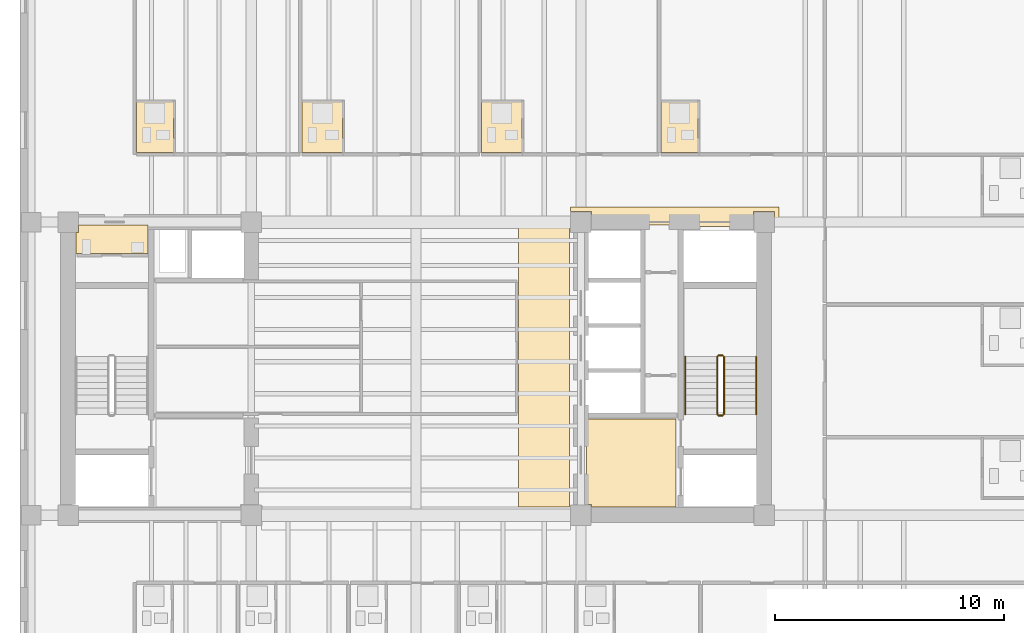
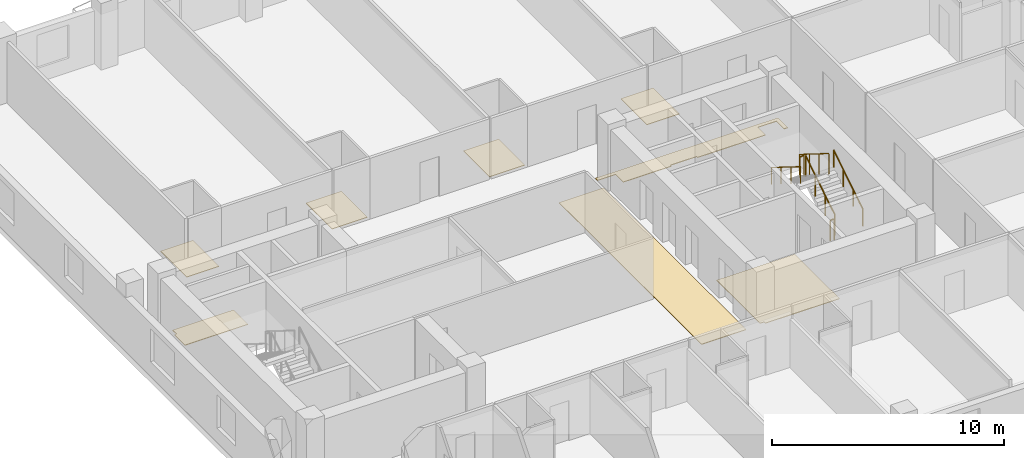
# One storey, part 9 of 11: 8 coverings, 6 railings.
"""IFC4 building model written with IfcOpenShell, lengths in metres."""

import ifcopenshell
import ifcopenshell.guid

model = None  # the IFC model being written
_history = None  # IfcOwnerHistory: only IFC2X3 demands one
_inside = {}  # id of a spatial element -> (the spatial element, [elements in it])
_under = {}  # id of a project, library or spatial element -> (it, [spatial elements below it])
_declared = {}  # id of a project -> (the project, [libraries it declares])
_typed = {}  # id of a type object -> (the type object, [elements of that type])
_made_of = {}  # id of a material, layer set ... -> (it, [elements and type objects made of it])


def new_model(schema):
    """Start an empty IFC model of exactly this schema.

    Asked for "IFC4X3", IfcOpenShell would pick the latest addendum, in which some entities
    have other attributes; the version numbers below select the first issue.
    IFC2X3 requires an IfcOwnerHistory on every rooted entity: one is made here for all.
    """
    global model, _history
    if schema == "IFC4X3":
        model = ifcopenshell.file(schema_version=(4, 3, 0, 0))
    else:
        model = ifcopenshell.file(schema=schema)
    _inside.clear()
    _under.clear()
    _declared.clear()
    _typed.clear()
    _made_of.clear()
    _history = None
    if model.schema == "IFC2X3":
        org = make("IfcOrganization", Name="unknown")
        user = make(
            "IfcPersonAndOrganization",
            ThePerson=make("IfcPerson", FamilyName="unknown"),
            TheOrganization=org,
        )
        app = make(
            "IfcApplication",
            ApplicationDeveloper=org,
            Version="unknown",
            ApplicationFullName="unknown",
            ApplicationIdentifier="unknown",
        )
        _history = make(
            "IfcOwnerHistory",
            OwningUser=user,
            OwningApplication=app,
            ChangeAction="ADDED",
            CreationDate=0,
        )
    return model


def make(cls, **values):
    """One entity of the class cls with the attributes given. An attribute that is None is left unset."""
    return model.create_entity(
        cls, **{name: value for name, value in values.items() if value is not None}
    )


def rooted(cls, **values):
    """An entity with a GlobalId (a new one), such as an element, a storey or a relation."""
    return make(cls, GlobalId=ifcopenshell.guid.new(), OwnerHistory=_history, **values)


def si_unit(unit_type, name, prefix=None):
    """IfcSIUnit, for example si_unit("LENGTHUNIT", "METRE", prefix="MILLI")."""
    return make("IfcSIUnit", UnitType=unit_type, Prefix=prefix, Name=name)


def assignment(units):
    """IfcUnitAssignment: the units of a project."""
    return None if units is None else make("IfcUnitAssignment", Units=units)


def point(xyz):
    """IfcCartesianPoint."""
    return None if xyz is None else make("IfcCartesianPoint", Coordinates=xyz)


def direction(xyz):
    """IfcDirection."""
    return None if xyz is None else make("IfcDirection", DirectionRatios=xyz)


def frame(location, z_axis=None, x_axis=None):
    """IfcAxis2Placement3D, a coordinate frame: its origin and axes. An axis left out is left unset."""
    return make(
        "IfcAxis2Placement3D",
        Location=point(location),
        Axis=direction(z_axis),
        RefDirection=direction(x_axis),
    )


def frame_2d(location, x_axis=None):
    """IfcAxis2Placement2D, a coordinate frame in the plane: its origin and x axis."""
    return make(
        "IfcAxis2Placement2D", Location=point(location), RefDirection=direction(x_axis)
    )


def origin():
    """The frame at (0, 0, 0) with its axes left unset."""
    return frame((0.0, 0.0, 0.0))


def origin_2d():
    """The frame at (0, 0) in the plane with its x axis left unset."""
    return frame_2d((0.0, 0.0))


def place(relative_to, where):
    """IfcLocalPlacement: puts the frame where relative to a parent placement (None: the world)."""
    return make(
        "IfcLocalPlacement", PlacementRelTo=relative_to, RelativePlacement=where
    )


def context(
    kind, dimensions, precision=None, world=None, true_north=None, identifier=None
):
    """IfcGeometricRepresentationContext, for example the 3D "Model" context."""
    return make(
        "IfcGeometricRepresentationContext",
        ContextIdentifier=identifier,
        ContextType=kind,
        CoordinateSpaceDimension=dimensions,
        Precision=precision,
        WorldCoordinateSystem=world,
        TrueNorth=true_north,
    )


def subcontext(parent, identifier, kind, view, scale=None):
    """IfcGeometricRepresentationSubContext, for example "Body" below "Model"."""
    return make(
        "IfcGeometricRepresentationSubContext",
        ContextIdentifier=identifier,
        ContextType=kind,
        ParentContext=parent,
        TargetScale=scale,
        TargetView=view,
    )


def project(units=None, contexts=None):
    """IfcProject with its units and contexts."""
    return rooted(
        "IfcProject",
        Name="project",
        RepresentationContexts=contexts,
        UnitsInContext=assignment(units),
    )


def spatial(cls, under=None, at=None, **own):
    """A site, building, storey or space (cls), placed at a placement, below another one or the project."""
    s = rooted(cls, ObjectPlacement=at, **own)
    if under is not None:
        _under.setdefault(under.id(), (under, []))[1].append(s)
    return s


def polyline(points):
    """IfcPolyline through the points."""
    return make("IfcPolyline", Points=[point(p) for p in points])


def profile(cls, at=None, kind="AREA", **sizes):
    """A parametric profile (cls). Its sizes go by their IFC names, for example OverallWidth=200.0."""
    return make(cls, ProfileType=kind, Position=at, **sizes)


def circle(**sizes):
    """IfcCircleProfileDef."""
    return profile("IfcCircleProfileDef", **sizes)


def outline(outer, holes=None, kind="AREA"):
    """IfcArbitraryClosedProfileDef: a profile drawn as a closed curve; with holes, ...WithVoids."""
    if holes is None:
        return make("IfcArbitraryClosedProfileDef", ProfileType=kind, OuterCurve=outer)
    return make(
        "IfcArbitraryProfileDefWithVoids",
        ProfileType=kind,
        OuterCurve=outer,
        InnerCurves=holes,
    )


def extrude(swept, where, along, depth):
    """IfcExtrudedAreaSolid: the profile swept, set in the frame where, extruded along a direction by depth."""
    return make(
        "IfcExtrudedAreaSolid",
        SweptArea=swept,
        Position=where,
        ExtrudedDirection=direction(along),
        Depth=depth,
    )


def shape(context_of_items, identifier, shape_type, items):
    """IfcShapeRepresentation: the items that make up one representation, for example the "Body"."""
    return make(
        "IfcShapeRepresentation",
        ContextOfItems=context_of_items,
        RepresentationIdentifier=identifier,
        RepresentationType=shape_type,
        Items=items,
    )


def material(Name=None, Category=None):
    """IfcMaterial."""
    return make("IfcMaterial", Name=Name, Category=Category)


def layer(
    of_material, thickness, ventilated=None, Name=None, Category=None, Priority=None
):
    """IfcMaterialLayer: one layer of a wall or slab, of a material (None: an air gap)."""
    return make(
        "IfcMaterialLayer",
        Material=of_material,
        LayerThickness=thickness,
        IsVentilated=ventilated,
        Name=Name,
        Category=Category,
        Priority=Priority,
    )


def layer_set(layers, Name=None):
    """IfcMaterialLayerSet."""
    return make("IfcMaterialLayerSet", MaterialLayers=layers, LayerSetName=Name)


def made_of(thing, what):
    """Note that an element or type object is made of a material, layer set ...; save() writes the relation."""
    if what is not None:
        _made_of.setdefault(what.id(), (what, []))[1].append(thing)
    return thing


def type_object(cls, material=None, **own):
    """A type object (cls), such as IfcWallType, which elements share."""
    return made_of(rooted(cls, **own), material)


def element(
    cls,
    number,
    at=None,
    inside=None,
    cuts=None,
    type_object=None,
    material=None,
    context=None,
    identifier="Body",
    shape_type=None,
    held_by="IfcProductDefinitionShape",
    body=None,
    shapes=None,
    **own,
):
    """One element of the class cls, such as IfcWall. Its Tag is "e" and its number.

    at: its placement. inside: the storey or other place that contains it. cuts: it is an
    opening in that element (IfcRelVoidsElement). A single representation is given by context,
    identifier, shape_type and body (its items); several are given by shapes. held_by: the class
    of the entity that holds the representations. save() writes the other relations.
    """
    e = rooted(cls, Tag="e%d" % number, ObjectPlacement=at, **own)
    if body is not None:
        shapes = [shape(context, identifier, shape_type, body)]
    if shapes is not None:
        e.Representation = make(held_by, Representations=shapes)
    if inside is not None:
        _inside.setdefault(inside.id(), (inside, []))[1].append(e)
    if cuts is not None:
        rooted(
            "IfcRelVoidsElement", RelatingBuildingElement=cuts, RelatedOpeningElement=e
        )
    if type_object is not None:
        _typed.setdefault(type_object.id(), (type_object, []))[1].append(e)
    return made_of(e, material)


def aggregate(whole, parts):
    """IfcRelAggregates: a whole, such as a stair, and the parts it consists of."""
    return rooted("IfcRelAggregates", RelatingObject=whole, RelatedObjects=parts)


def save(model, path):
    """Write the relations noted so far, then the file.

    IfcRelAggregates (storeys below a building ...), IfcRelContainedInSpatialStructure (elements
    in a storey), IfcRelDefinesByType, IfcRelAssociatesMaterial and IfcRelDeclares: one each for
    every whole, place, type object, material and project.
    """
    for whole, parts in _under.values():
        aggregate(whole, parts)
    for where, things in _inside.values():
        rooted(
            "IfcRelContainedInSpatialStructure",
            RelatedElements=things,
            RelatingStructure=where,
        )
    for kind, things in _typed.values():
        rooted("IfcRelDefinesByType", RelatedObjects=things, RelatingType=kind)
    for what, things in _made_of.values():
        rooted("IfcRelAssociatesMaterial", RelatedObjects=things, RelatingMaterial=what)
    for by, libraries in _declared.values():
        rooted("IfcRelDeclares", RelatingContext=by, RelatedDefinitions=libraries)
    model.write(path)


model = new_model("IFC4")

# Units and contexts
model_context = context("Model", 3, precision=1e-05, world=origin(), true_north=direction((0.0, 1.0)))
body_context = subcontext(model_context, "Body", "Model", "MODEL_VIEW")
ifc_project = project(units=[si_unit("LENGTHUNIT", "METRE"), si_unit("AREAUNIT", "SQUARE_METRE"), si_unit("VOLUMEUNIT", "CUBIC_METRE"), si_unit("PLANEANGLEUNIT", "RADIAN"), si_unit("MASSUNIT", "GRAM", prefix="KILO")], contexts=[model_context])

# Site, building, storey
site_placement = place(None, origin())
site = spatial("IfcSite", under=ifc_project, at=site_placement, CompositionType="ELEMENT")
building_placement = place(site_placement, origin())
building = spatial("IfcBuilding", under=site, at=building_placement, Name="Kranthara Brick Stack", CompositionType="ELEMENT")
storey_placement = place(building_placement, frame((0.0, 0.0, 176.300048828125)))
storey = spatial("IfcBuildingStorey", under=building, at=storey_placement, Name="L45", CompositionType="ELEMENT", Elevation=176.300048828125)

# Coverings
ifc_material_1 = material(Name="Honed terrazzo and porcelain floor finish", Category="stone")
ifc_layer = layer(ifc_material_1, 0.030029296875)
ifc_layer_set = layer_set([ifc_layer], Name="Honed terrazzo and porcelain floor finish")
covering_type = type_object("IfcCoveringType", Name="COV-FLOR-STONE", PredefinedType="FLOORING", material=ifc_layer_set)
covering_1_placement = place(storey_placement, origin())
element("IfcCovering", 1, at=covering_1_placement, inside=storey, type_object=covering_type, Name="L45 Lift Lobby Stone Flooring", PredefinedType="FLOORING", context=body_context, shape_type="SweptSolid", body=[
    extrude(outline(polyline([(35.449951171875, 25.0), (39.35009765625, 25.0), (39.35009765625, 21.14990234375), (35.659912109375, 21.14990234375), (35.659912109375, 21.260009765625), (35.449951171875, 21.260009765625), (35.449951171875, 25.0)])), origin(), (0.0, 0.0, 1.0), 0.030029296875),
])
covering_2_placement = place(storey_placement, origin())
element("IfcCovering", 2, at=covering_2_placement, inside=storey, type_object=covering_type, Name="L45 Wet Room Porcelain Flooring", PredefinedType="FLOORING", context=body_context, shape_type="SweptSolid", body=[
    extrude(outline(polyline([(16.300048828125, 33.47998046875), (16.300048828125, 32.22998046875), (13.14990234375, 32.22998046875), (13.14990234375, 33.139892578125), (13.260009765625, 33.139892578125), (13.260009765625, 33.47998046875), (16.300048828125, 33.47998046875)])), origin(), (0.0, 0.0, 1.0), 0.030029296875),
])
covering_3_placement = place(storey_placement, origin())
element("IfcCovering", 3, at=covering_3_placement, inside=storey, type_object=covering_type, Name="L45 Lift Lobby Stone Flooring", PredefinedType="FLOORING", context=body_context, shape_type="SweptSolid", body=[
    extrude(outline(polyline([(34.699951171875, 21.14990234375), (34.699951171875, 33.449951171875), (32.47998046875, 33.449951171875), (32.47998046875, 21.14990234375), (34.699951171875, 21.14990234375)])), origin(), (0.0, 0.0, 1.0), 0.030029296875),
])
covering_4_placement = place(storey_placement, origin())
element("IfcCovering", 4, at=covering_4_placement, inside=storey, type_object=covering_type, Name="L45 Lift Lobby Stone Flooring", PredefinedType="FLOORING", context=body_context, shape_type="SweptSolid", body=[
    extrude(outline(polyline([(43.659912109375, 33.39990234375), (43.659912109375, 34.06005859375), (42.739990234375, 34.06005859375), (42.739990234375, 33.39990234375), (39.35009765625, 33.39990234375), (39.35009765625, 33.47998046875), (38.050048828125, 33.47998046875), (38.050048828125, 33.39990234375), (35.659912109375, 33.39990234375), (35.659912109375, 34.06005859375), (34.75, 34.06005859375), (34.75, 34.25), (43.85009765625, 34.25), (43.85009765625, 33.39990234375), (43.659912109375, 33.39990234375)])), origin(), (0.0, 0.0, 1.0), 0.030029296875),
])
covering_5_placement = place(storey_placement, origin())
element("IfcCovering", 5, at=covering_5_placement, inside=storey, type_object=covering_type, Name="L45 Wet Room Porcelain Flooring", PredefinedType="FLOORING", context=body_context, shape_type="SweptSolid", body=[
    extrude(outline(polyline([(15.780029296875, 36.6298828125), (15.780029296875, 38.8798828125), (17.396728515625, 38.8798828125), (17.396728515625, 36.6298828125), (15.780029296875, 36.6298828125)])), origin(), (0.0, 0.0, 1.0), 0.030029296875),
])
covering_6_placement = place(storey_placement, origin())
element("IfcCovering", 6, at=covering_6_placement, inside=storey, type_object=covering_type, Name="L45 Wet Room Porcelain Flooring", PredefinedType="FLOORING", context=body_context, shape_type="SweptSolid", body=[
    extrude(outline(polyline([(23.01611328125, 36.6298828125), (23.01611328125, 38.8798828125), (24.77734375, 38.8798828125), (24.77734375, 36.6298828125), (23.01611328125, 36.6298828125)])), origin(), (0.0, 0.0, 1.0), 0.030029296875),
])
covering_7_placement = place(storey_placement, origin())
element("IfcCovering", 7, at=covering_7_placement, inside=storey, type_object=covering_type, Name="L45 Wet Room Porcelain Flooring", PredefinedType="FLOORING", context=body_context, shape_type="SweptSolid", body=[
    extrude(outline(polyline([(30.85498046875, 36.6298828125), (30.85498046875, 38.8798828125), (32.616455078125, 38.8798828125), (32.616455078125, 36.6298828125), (30.85498046875, 36.6298828125)])), origin(), (0.0, 0.0, 1.0), 0.030029296875),
])
covering_8_placement = place(storey_placement, origin())
element("IfcCovering", 8, at=covering_8_placement, inside=storey, type_object=covering_type, Name="L45 Wet Room Porcelain Flooring", PredefinedType="FLOORING", context=body_context, shape_type="SweptSolid", body=[
    extrude(outline(polyline([(38.694091796875, 36.6298828125), (38.694091796875, 38.8798828125), (40.310546875, 38.8798828125), (40.310546875, 36.6298828125), (38.694091796875, 36.6298828125)])), origin(), (0.0, 0.0, 1.0), 0.030029296875),
])

# Railings
ifc_material_2 = material(Name="Painted galvanized steel stair guardrail", Category="steel")
railing_type_1 = type_object("IfcRailingType", Name="RL-STAIR-GUARD-1100", PredefinedType="GUARDRAIL", material=ifc_material_2)
railing_1_placement = place(storey_placement, frame((41.449951171875, 25.199951171875, 0.175048828125)))
element("IfcRailing", 9, at=railing_1_placement, inside=storey, type_object=railing_type_1, Name="L45 ST02 stair guard 1", PredefinedType="GUARDRAIL", context=body_context, shape_type="SweptSolid", body=[
    extrude(circle(Radius=0.02392578125, at=origin_2d()), frame((0.0, 0.0, 1.076171875), z_axis=(0.0, 0.848007534815, 0.529984170421), x_axis=(-1.0, 0.0, 0.0)), (0.0, 0.0, 1.0), 2.9716796875),
    extrude(circle(Radius=0.02099609375, at=origin_2d()), origin(), (0.0, 0.0, 1.0), 1.052001953125),
    extrude(circle(Radius=0.02099609375, at=origin_2d()), frame((0.0, 0.840087890625, 0.52490234375)), (0.0, 0.0, 1.0), 1.052001953125),
    extrude(circle(Radius=0.02099609375, at=origin_2d()), frame((0.0, 1.679931640625, 1.050048828125)), (0.0, 0.0, 1.0), 1.052001953125),
    extrude(circle(Radius=0.02099609375, at=origin_2d()), frame((0.0, 2.52001953125, 1.574951171875)), (0.0, 0.0, 1.0), 1.052001953125),
])
railing_2_placement = place(storey_placement, frame((41.39990234375, 27.77001953125, 1.75)))
element("IfcRailing", 10, at=railing_2_placement, inside=storey, type_object=railing_type_1, Name="L45 ST02 stair guard 2", PredefinedType="GUARDRAIL", context=body_context, shape_type="SweptSolid", body=[
    extrude(circle(Radius=0.02392578125, at=origin_2d()), frame((0.0, 0.0, 1.076171875), z_axis=(-1.0, 0.0, 0.0), x_axis=(0.0, -1.0, 0.0)), (0.0, 0.0, 1.0), 0.199951171875),
    extrude(circle(Radius=0.02099609375, at=origin_2d()), origin(), (0.0, 0.0, 1.0), 1.052001953125),
    extrude(circle(Radius=0.02099609375, at=origin_2d()), frame((-0.199951171875, 0.0, 0.0)), (0.0, 0.0, 1.0), 1.052001953125),
])
railing_3_placement = place(storey_placement, frame((41.14990234375, 27.719970703125, 1.925048828125)))
element("IfcRailing", 11, at=railing_3_placement, inside=storey, type_object=railing_type_1, Name="L45 ST02 stair guard 3", PredefinedType="GUARDRAIL", context=body_context, shape_type="SweptSolid", body=[
    extrude(circle(Radius=0.02392578125, at=origin_2d()), frame((0.0, 0.0, 1.076171875), z_axis=(0.0, -0.848007534815, 0.529984170421), x_axis=(1.0, 0.0, 0.0)), (0.0, 0.0, 1.0), 2.9716796875),
    extrude(circle(Radius=0.02099609375, at=origin_2d()), origin(), (0.0, 0.0, 1.0), 1.052001953125),
    extrude(circle(Radius=0.02099609375, at=origin_2d()), frame((0.0, -0.840087890625, 0.52490234375)), (0.0, 0.0, 1.0), 1.052001953125),
    extrude(circle(Radius=0.02099609375, at=origin_2d()), frame((0.0, -1.679931640625, 1.050048828125)), (0.0, 0.0, 1.0), 1.052001953125),
    extrude(circle(Radius=0.02099609375, at=origin_2d()), frame((0.0, -2.52001953125, 1.574951171875)), (0.0, 0.0, 1.0), 1.052001953125),
])
railing_4_placement = place(storey_placement, frame((41.39990234375, 25.14990234375, 0.0)))
element("IfcRailing", 12, at=railing_4_placement, inside=storey, type_object=railing_type_1, Name="L45 ST02 stair guard 4", PredefinedType="GUARDRAIL", context=body_context, shape_type="SweptSolid", body=[
    extrude(circle(Radius=0.02392578125, at=origin_2d()), frame((0.0, 0.0, 1.076171875), z_axis=(-1.0, 0.0, 0.0), x_axis=(0.0, -1.0, 0.0)), (0.0, 0.0, 1.0), 0.199951171875),
    extrude(circle(Radius=0.02099609375, at=origin_2d()), origin(), (0.0, 0.0, 1.0), 1.052001953125),
    extrude(circle(Radius=0.02099609375, at=origin_2d()), frame((-0.199951171875, 0.0, 0.0)), (0.0, 0.0, 1.0), 1.052001953125),
])
ifc_material_3 = material(Name="Brushed stainless steel tubular handrail", Category="steel")
railing_type_2 = type_object("IfcRailingType", Name="RL-STAIR-HAND-900", PredefinedType="HANDRAIL", material=ifc_material_3)
railing_5_placement = place(storey_placement, frame((42.85009765625, 25.199951171875, 0.175048828125)))
element("IfcRailing", 13, at=railing_5_placement, inside=storey, type_object=railing_type_2, Name="L45 ST02 stair handrail 1", PredefinedType="HANDRAIL", context=body_context, shape_type="SweptSolid", body=[
    extrude(circle(Radius=0.02392578125, at=origin_2d()), frame((0.0, 0.0, 0.8759765625), z_axis=(0.0, 0.848007534815, 0.529984170421), x_axis=(-1.0, 0.0, 0.0)), (0.0, 0.0, 1.0), 2.9716796875),
    extrude(circle(Radius=0.02099609375, at=origin_2d()), origin(), (0.0, 0.0, 1.0), 0.851806640625),
    extrude(circle(Radius=0.02099609375, at=origin_2d()), frame((0.0, 0.840087890625, 0.52490234375)), (0.0, 0.0, 1.0), 0.851806640625),
    extrude(circle(Radius=0.02099609375, at=origin_2d()), frame((0.0, 1.679931640625, 1.050048828125)), (0.0, 0.0, 1.0), 0.851806640625),
    extrude(circle(Radius=0.02099609375, at=origin_2d()), frame((0.0, 2.52001953125, 1.574951171875)), (0.0, 0.0, 1.0), 0.851806640625),
])
railing_6_placement = place(storey_placement, frame((39.75, 27.719970703125, 1.925048828125)))
element("IfcRailing", 14, at=railing_6_placement, inside=storey, type_object=railing_type_2, Name="L45 ST02 stair handrail 2", PredefinedType="HANDRAIL", context=body_context, shape_type="SweptSolid", body=[
    extrude(circle(Radius=0.02392578125, at=origin_2d()), frame((0.0, 0.0, 0.8759765625), z_axis=(0.0, -0.848007534815, 0.529984170421), x_axis=(1.0, 0.0, 0.0)), (0.0, 0.0, 1.0), 2.9716796875),
    extrude(circle(Radius=0.02099609375, at=origin_2d()), origin(), (0.0, 0.0, 1.0), 0.851806640625),
    extrude(circle(Radius=0.02099609375, at=origin_2d()), frame((0.0, -0.840087890625, 0.52490234375)), (0.0, 0.0, 1.0), 0.851806640625),
    extrude(circle(Radius=0.02099609375, at=origin_2d()), frame((0.0, -1.679931640625, 1.050048828125)), (0.0, 0.0, 1.0), 0.851806640625),
    extrude(circle(Radius=0.02099609375, at=origin_2d()), frame((0.0, -2.52001953125, 1.574951171875)), (0.0, 0.0, 1.0), 0.851806640625),
])

save(model, "model.ifc")
